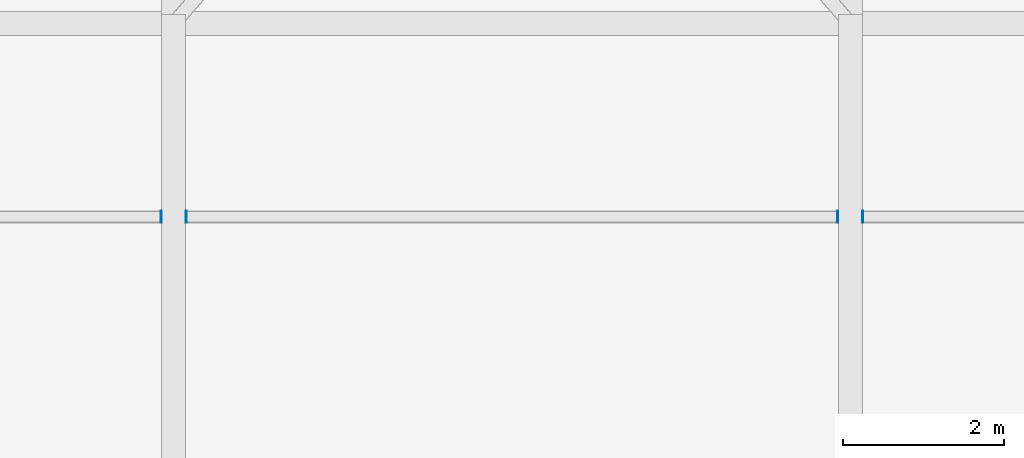
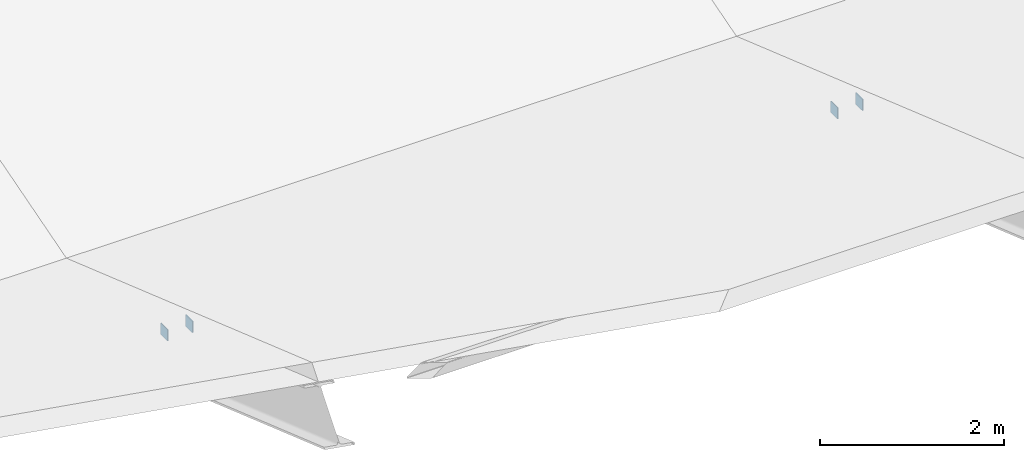
# One storey, part 104 of 110: 4 discrete accessories.
"""IFC4 building model written with IfcOpenShell, lengths in metres."""

from ifc_helpers import new_model, si_unit, direction, frame, origin, origin_2d, place, context, subcontext, project, spatial, rectangle, extrude, material, type_object, element, save


model = new_model("IFC4")

# Units and contexts
model_context = context("Model", 3, precision=1e-05, world=origin(), true_north=direction((0.0, 1.0)))
body_context = subcontext(model_context, "Body", "Model", "MODEL_VIEW")
ifc_project = project(units=[si_unit("LENGTHUNIT", "METRE"), si_unit("AREAUNIT", "SQUARE_METRE"), si_unit("VOLUMEUNIT", "CUBIC_METRE"), si_unit("PLANEANGLEUNIT", "RADIAN"), si_unit("MASSUNIT", "GRAM", prefix="KILO")], contexts=[model_context])

# Site, building, storey
site_placement = place(None, origin())
site = spatial("IfcSite", under=ifc_project, at=site_placement, CompositionType="ELEMENT")
building_placement = place(site_placement, origin())
building = spatial("IfcBuilding", under=site, at=building_placement, Name="Qawsi Khor Wholesale Market", CompositionType="ELEMENT")
storey_placement = place(building_placement, frame((0.0, 0.0, 11.39990234375)))
storey = spatial("IfcBuildingStorey", under=building, at=storey_placement, Name="L02", CompositionType="ELEMENT", Elevation=11.39990234375)

# Discrete accessories
ifc_material = material(Name="Steel S355", Category="steel")
discrete_accessory_type = type_object("IfcDiscreteAccessoryType", Name="Purlin End Cleat Plate 12 S355", PredefinedType="BRACKET", material=ifc_material)
for number, where, z_axis, x_axis, name in (
    (1, (100.64404296875, 97.199951171875, 1.408447265625), (0.0, 0.0, 1.0), (1.0, 0.0, 0.0), "Auction roof purlin 12-2 end cleat E"),
    (2, (100.9560546875, 97.199951171875, 1.408447265625), (0.0, 0.0, 1.0), (1.0, 0.0, 0.0), "Auction roof purlin 13-2 end cleat W"),
    (3, (109.0439453125, 97.199951171875, 1.408447265625), (0.0, 0.0, 1.0), (1.0, 0.0, 0.0), "Auction roof purlin 13-2 end cleat E"),
    (4, (109.35595703125, 97.199951171875, 1.408447265625), (0.0, 0.0, 1.0), (1.0, 0.0, 0.0), "Auction roof purlin 14-2 end cleat W"),
):
    element("IfcDiscreteAccessory", number, at=place(storey_placement, frame(where, z_axis=z_axis, x_axis=x_axis)), inside=storey, type_object=discrete_accessory_type, Name=name, PredefinedType="BRACKET", context=body_context, shape_type="SweptSolid", body=[
        extrude(rectangle(XDim=0.011962890625, YDim=0.14990234375, at=origin_2d()), origin(), (0.0, 0.0, 1.0), 0.14990234375),
    ])

save(model, "model.ifc")
